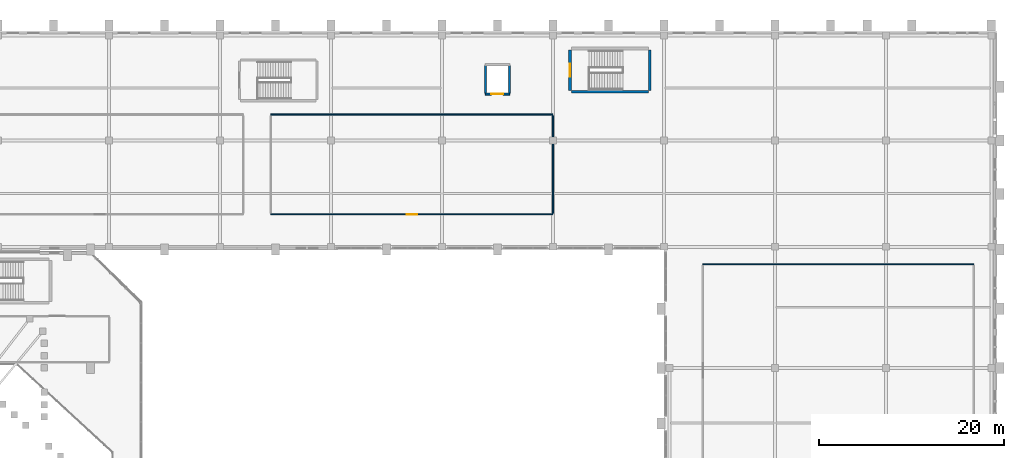
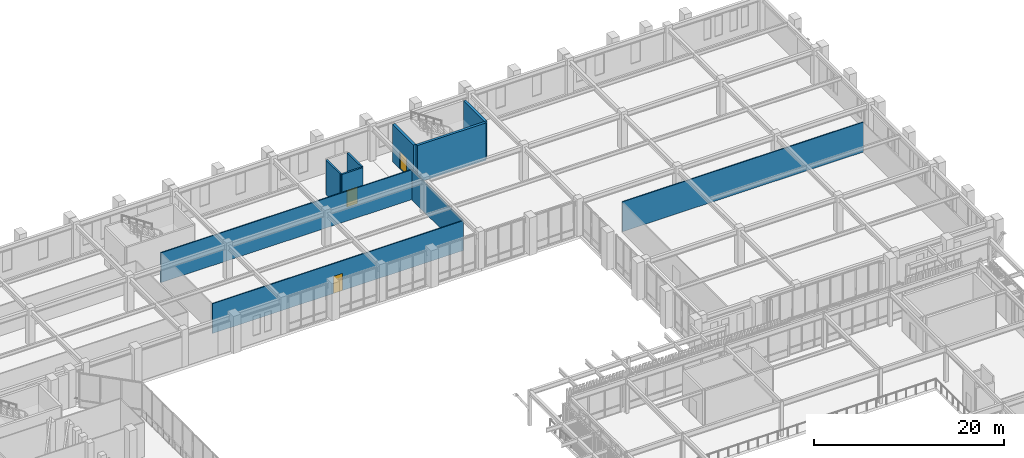
# One storey, part 100 of 126: 10 walls, 3 doors, 3 openings.
"""IFC4 building model written with IfcOpenShell, lengths in metres."""

from ifc_helpers import new_model, si_unit, derived_unit, direction, frame, frame_2d, origin, place, context, subcontext, project, spatial, rectangle, extrude, material, layer, layer_set, type_object, element, fill, save


model = new_model("IFC4")

# Units and contexts
model_context = context("Model", 3, precision=1e-05, world=origin(), true_north=direction((0.0, 1.0)))
body_context = subcontext(model_context, "Body", "Model", "MODEL_VIEW")
ifc_project = project(units=[si_unit("LENGTHUNIT", "METRE"), si_unit("AREAUNIT", "SQUARE_METRE"), si_unit("VOLUMEUNIT", "CUBIC_METRE"), si_unit("PLANEANGLEUNIT", "RADIAN"), si_unit("MASSUNIT", "GRAM", prefix="KILO"), derived_unit("THERMALTRANSMITTANCEUNIT", [(si_unit("MASSUNIT", "GRAM", prefix="KILO"), 1), (si_unit("TIMEUNIT", "SECOND"), -3), (si_unit("THERMODYNAMICTEMPERATUREUNIT", "KELVIN"), -1)])], contexts=[model_context])

# Site, building, storey
site_placement = place(None, origin())
site = spatial("IfcSite", under=ifc_project, at=site_placement, CompositionType="ELEMENT")
building_placement = place(site_placement, origin())
building = spatial("IfcBuilding", under=site, at=building_placement, Name="Valcora Ridge Arena", CompositionType="ELEMENT")
storey_placement = place(building_placement, frame((0.0, 0.0, 11.39990234375)))
storey = spatial("IfcBuildingStorey", under=building, at=storey_placement, Name="L02", CompositionType="ELEMENT", Elevation=11.39990234375)

# Wall, opening, door
ifc_material_1 = material(Name="Acoustic metal-stud gypsum partition 120 mm")
ifc_layer_1 = layer(ifc_material_1, 0.1201171875, Name="Acoustic metal-stud gypsum partition 120 mm")
ifc_layer_set_1 = layer_set([ifc_layer_1], Name="Acoustic metal-stud gypsum partition 120 mm")
wall_type_1 = type_object("IfcWallType", Name="TY-WALL-IW-PART-120", PredefinedType="PARTITIONING", material=ifc_layer_set_1)
wall_1_placement = place(storey_placement, frame((113.5, 112.199951171875, 0.0), z_axis=(0.0, 0.0, 1.0), x_axis=(1.0, 0.0, 0.0)))
wall_1 = element("IfcWall", 1, at=wall_1_placement, inside=storey, type_object=wall_type_1, Name="IW-PART-120 WAL-IN-0395", PredefinedType="PARTITIONING", context=body_context, shape_type="SweptSolid", body=[
    extrude(rectangle(XDim=30.5, YDim=0.1201171875, at=frame_2d((15.25, 0.0))), origin(), (0.0, 0.0, 1.0), 3.838134765625),
])
opening_1_placement = place(wall_1_placement, frame((14.699951171875, 0.0, 0.0)))
opening_1 = element("IfcOpeningElement", 2, at=opening_1_placement, cuts=wall_1, Name="Opening D-INT-1100", PredefinedType="OPENING", context=body_context, shape_type="SweptSolid", body=[
    extrude(rectangle(XDim=1.10009765625, YDim=2.199951171875, at=frame_2d((0.550048828125, 1.10009765625))), frame((0.0, 0.070068359375, 0.0), z_axis=(0.0, -1.0, 0.0), x_axis=(1.0, 0.0, 0.0)), (0.0, 0.0, 1.0), 0.14013671875),
])
ifc_material_2 = material(Name="Solid-core acoustic timber veneer door leaf", Category="wood")
door_type_1 = type_object("IfcDoorType", Name="TY-DOOR-D-INT-1100", OperationType="NOTDEFINED", PredefinedType="DOOR", material=ifc_material_2)
door_1_placement = place(opening_1_placement, origin())
door_1 = element("IfcDoor", 3, at=door_1_placement, inside=storey, type_object=door_type_1, Name="D-INT-1100 DOR-IN-0104", OperationType="SINGLE_SWING_LEFT", OverallHeight=2.199951171875, OverallWidth=1.10009765625, PredefinedType="DOOR", context=body_context, shape_type="SweptSolid", body=[
    extrude(rectangle(XDim=1.10009765625, YDim=2.199951171875, at=frame_2d((0.550048828125, 1.10009765625))), frame((0.0, 0.02490234375, 0.0), z_axis=(0.0, -1.0, 0.0), x_axis=(1.0, 0.0, 0.0)), (0.0, 0.0, 1.0), 0.050048828125),
])
fill(opening_1, door_1)

# Walls
wall_2_placement = place(storey_placement, frame((113.5, 123.0, 0.0), z_axis=(0.0, 0.0, 1.0), x_axis=(1.0, 0.0, 0.0)))
element("IfcWall", 4, at=wall_2_placement, inside=storey, type_object=wall_type_1, Name="IW-PART-120 WAL-IN-0396", PredefinedType="PARTITIONING", context=body_context, shape_type="SweptSolid", body=[
    extrude(rectangle(XDim=30.5, YDim=0.1201171875, at=frame_2d((15.25, 0.0))), origin(), (0.0, 0.0, 1.0), 3.838134765625),
])
wall_3_placement = place(storey_placement, frame((144.0, 112.320068359375, 0.0), z_axis=(0.0, 0.0, 1.0), x_axis=(0.0, 1.0, 0.0)))
element("IfcWall", 5, at=wall_3_placement, inside=storey, type_object=wall_type_1, Name="IW-PART-120 WAL-IN-0398", PredefinedType="PARTITIONING", context=body_context, shape_type="SweptSolid", body=[
    extrude(rectangle(XDim=10.559814453125, YDim=0.1201171875, at=frame_2d((5.27978515625, 0.0))), origin(), (0.0, 0.0, 1.0), 3.838134765625),
])
wall_4_placement = place(storey_placement, frame((160.199951171875, 106.800048828125, 0.0), z_axis=(0.0, 0.0, 1.0), x_axis=(1.0, 0.0, 0.0)))
element("IfcWall", 6, at=wall_4_placement, inside=storey, type_object=wall_type_1, Name="IW-PART-120 WAL-IN-0400", PredefinedType="PARTITIONING", context=body_context, shape_type="SweptSolid", body=[
    extrude(rectangle(XDim=29.300048828125, YDim=0.1201171875, at=frame_2d((14.64990234375, 0.0))), origin(), (0.0, 0.0, 1.0), 3.838134765625),
])

# Wall, opening, door
ifc_material_3 = material(Name="Concrete C40/50", Category="concrete")
ifc_layer_2 = layer(ifc_material_3, 0.199951171875, Name="Concrete C40/50")
ifc_layer_set_2 = layer_set([ifc_layer_2], Name="Concrete C40/50")
wall_type_2 = type_object("IfcWallType", Name="TY-WALL-IW-SHF-200", PredefinedType="STANDARD", material=ifc_layer_set_2)
wall_5_placement = place(storey_placement, frame((136.699951171875, 125.199951171875, 0.0), z_axis=(0.0, 0.0, 1.0), x_axis=(1.0, 0.0, 0.0)))
wall_5 = element("IfcWall", 7, at=wall_5_placement, inside=storey, type_object=wall_type_2, Name="IW-SHF-200 WAL-SH-0277", PredefinedType="STANDARD", context=body_context, shape_type="SweptSolid", body=[
    extrude(rectangle(XDim=2.60009765625, YDim=0.199951171875, at=frame_2d((1.300048828125, 0.0))), origin(), (0.0, 0.0, 1.0), 4.4501953125),
])
opening_2_placement = place(wall_5_placement, frame((0.64990234375, 0.0, 0.0)))
opening_2 = element("IfcOpeningElement", 8, at=opening_2_placement, cuts=wall_5, Name="Opening LD-GDS", PredefinedType="OPENING", context=body_context, shape_type="SweptSolid", body=[
    extrude(rectangle(XDim=1.300048828125, YDim=2.14990234375, at=frame_2d((0.64990234375, 1.074951171875))), frame((0.0, 0.10986328125, 0.0), z_axis=(0.0, -1.0, 0.0), x_axis=(1.0, 0.0, 0.0)), (0.0, 0.0, 1.0), 0.219970703125),
])
ifc_material_4 = material(Name="Insulated fire-rated hollow metal steel", Category="steel")
door_type_2 = type_object("IfcDoorType", Name="TY-DOOR-LD-GDS", OperationType="NOTDEFINED", PredefinedType="DOOR", material=ifc_material_4)
door_2_placement = place(opening_2_placement, origin())
door_2 = element("IfcDoor", 9, at=door_2_placement, inside=storey, type_object=door_type_2, Name="GL2 Landing Door L02", OperationType="SLIDING_TO_LEFT", OverallHeight=2.14990234375, OverallWidth=1.300048828125, PredefinedType="DOOR", context=body_context, shape_type="SweptSolid", body=[
    extrude(rectangle(XDim=1.300048828125, YDim=2.14990234375, at=frame_2d((0.64990234375, 1.074951171875))), frame((0.0, 0.02490234375, 0.0), z_axis=(0.0, -1.0, 0.0), x_axis=(1.0, 0.0, 0.0)), (0.0, 0.0, 1.0), 0.050048828125),
])
fill(opening_2, door_2)

# Walls
for number, where, z_axis, x_axis, name in (
    (10, (136.699951171875, 125.320068359375, 0.0), (0.0, 0.0, 1.0), (0.0, 1.0, 0.0), "IW-SHF-200 WAL-SH-0279"),
    (11, (139.300048828125, 125.320068359375, 0.0), (0.0, 0.0, 1.0), (0.0, 1.0, 0.0), "IW-SHF-200 WAL-SH-0280"),
):
    element("IfcWall", number, at=place(storey_placement, frame(where, z_axis=z_axis, x_axis=x_axis)), inside=storey, type_object=wall_type_2, Name=name, PredefinedType="STANDARD", context=body_context, shape_type="SweptSolid", body=[
        extrude(rectangle(XDim=2.9599609375, YDim=0.199951171875, at=frame_2d((1.47998046875, 0.0))), origin(), (0.0, 0.0, 1.0), 4.4501953125),
    ])
ifc_material_5 = material(Name="Concrete C45/55", Category="concrete")
ifc_layer_3 = layer(ifc_material_5, 0.300048828125, Name="Concrete C45/55")
ifc_layer_set_3 = layer_set([ifc_layer_3], Name="Concrete C45/55")
wall_type_3 = type_object("IfcWallType", Name="TY-WALL-SW-C300-L", PredefinedType="SHEAR", material=ifc_layer_set_3)
wall_6_placement = place(storey_placement, frame((146.0, 125.449951171875, 0.0), z_axis=(0.0, 0.0, 1.0), x_axis=(1.0, 0.0, 0.0)))
element("IfcWall", 12, at=wall_6_placement, inside=storey, type_object=wall_type_3, Name="SW-C300-L WAL-CR-0209", PredefinedType="SHEAR", context=body_context, shape_type="SweptSolid", body=[
    extrude(rectangle(XDim=8.320068359375, YDim=0.300048828125, at=frame_2d((4.16015625, 0.0))), origin(), (0.0, 0.0, 1.0), 4.800048828125),
])

# Wall, opening, door
ifc_layer_4 = layer(ifc_material_5, 0.300048828125, Name="Concrete C45/55")
ifc_layer_set_4 = layer_set([ifc_layer_4], Name="Concrete C45/55")
wall_type_4 = type_object("IfcWallType", Name="TY-WALL-SW-C300-S", PredefinedType="SHEAR", material=ifc_layer_set_4)
wall_7_placement = place(storey_placement, frame((145.85009765625, 125.60009765625, 0.0), z_axis=(0.0, 0.0, 1.0), x_axis=(0.0, 1.0, 0.0)))
wall_7 = element("IfcWall", 13, at=wall_7_placement, inside=storey, type_object=wall_type_4, Name="SW-C300-S WAL-CR-0211", PredefinedType="SHEAR", context=body_context, shape_type="SweptSolid", body=[
    extrude(rectangle(XDim=4.39990234375, YDim=0.300048828125, at=frame_2d((2.199951171875, 0.0))), origin(), (0.0, 0.0, 1.0), 4.800048828125),
])
opening_3_placement = place(wall_7_placement, frame((1.5, 0.0, 0.0)))
opening_3 = element("IfcOpeningElement", 14, at=opening_3_placement, cuts=wall_7, Name="Opening FD-01", PredefinedType="OPENING", context=body_context, shape_type="SweptSolid", body=[
    extrude(rectangle(XDim=1.39990234375, YDim=2.199951171875, at=frame_2d((0.699951171875, 1.10009765625))), frame((0.0, 0.159912109375, 0.0), z_axis=(0.0, -1.0, 0.0), x_axis=(1.0, 0.0, 0.0)), (0.0, 0.0, 1.0), 0.320068359375),
])
ifc_material_6 = material(Name="Insulated fire-rated steel door leaf", Category="steel")
door_type_3 = type_object("IfcDoorType", Name="TY-DOOR-FD-01", OperationType="NOTDEFINED", PredefinedType="DOOR", material=ifc_material_6)
door_3_placement = place(opening_3_placement, origin())
door_3 = element("IfcDoor", 15, at=door_3_placement, inside=storey, type_object=door_type_3, Name="FD-01 DOR-ST-0053", OperationType="DOUBLE_DOOR_SINGLE_SWING", OverallHeight=2.199951171875, OverallWidth=1.39990234375, PredefinedType="DOOR", context=body_context, shape_type="SweptSolid", body=[
    extrude(rectangle(XDim=1.39990234375, YDim=2.199951171875, at=frame_2d((0.699951171875, 1.10009765625))), frame((0.0, 0.02490234375, 0.0), z_axis=(0.0, -1.0, 0.0), x_axis=(1.0, 0.0, 0.0)), (0.0, 0.0, 1.0), 0.050048828125),
])
fill(opening_3, door_3)

# Wall
wall_8_placement = place(storey_placement, frame((154.469970703125, 125.60009765625, 0.0), z_axis=(0.0, 0.0, 1.0), x_axis=(0.0, 1.0, 0.0)))
element("IfcWall", 16, at=wall_8_placement, inside=storey, type_object=wall_type_4, Name="SW-C300-S WAL-CR-0212", PredefinedType="SHEAR", context=body_context, shape_type="SweptSolid", body=[
    extrude(rectangle(XDim=4.39990234375, YDim=0.300048828125, at=frame_2d((2.199951171875, 0.0))), origin(), (0.0, 0.0, 1.0), 4.800048828125),
])

save(model, "model.ifc")
